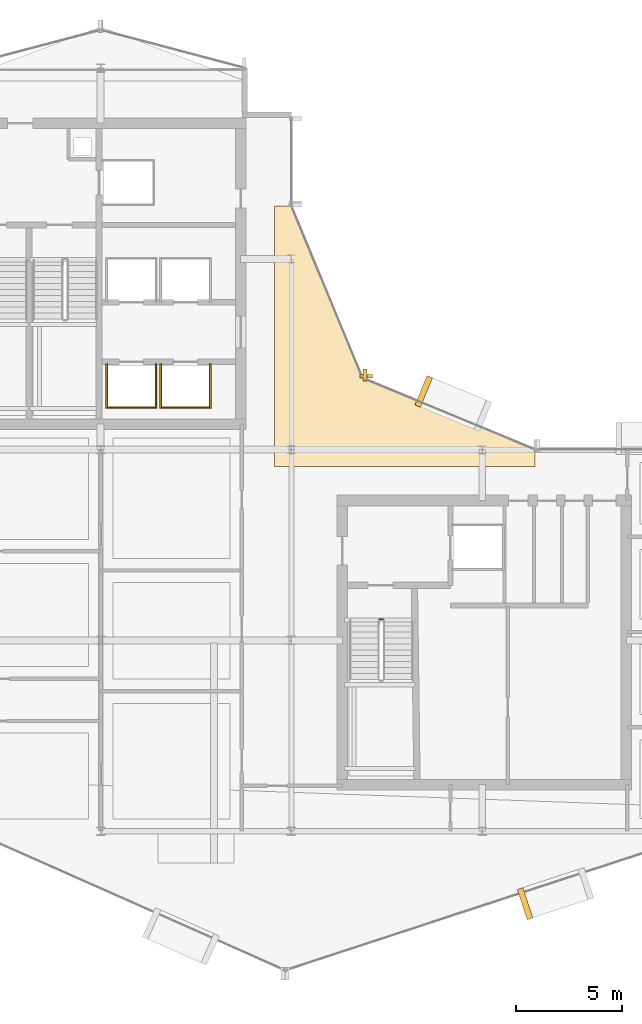
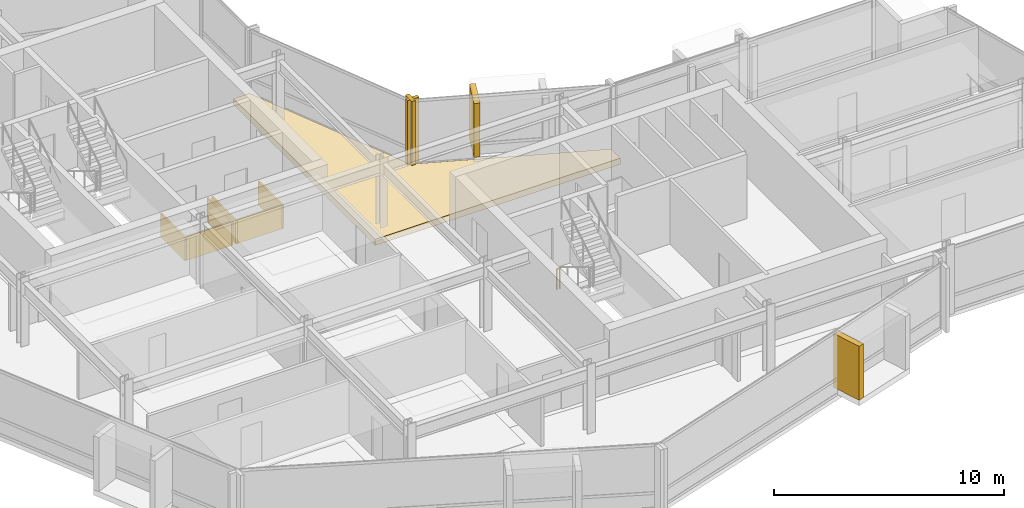
# One storey, part 26 of 28: 11 coverings, 1 railing.
"""IFC4 building model written with IfcOpenShell, lengths in metres."""

from ifc_helpers import new_model, si_unit, direction, frame, origin, origin_2d, place, context, subcontext, project, spatial, polyline, rectangle, circle, outline, extrude, material, layer, layer_set, type_object, element, save


model = new_model("IFC4")

# Units and contexts
model_context = context("Model", 3, precision=1e-05, world=origin(), true_north=direction((0.0, 1.0)))
body_context = subcontext(model_context, "Body", "Model", "MODEL_VIEW")
ifc_project = project(units=[si_unit("LENGTHUNIT", "METRE"), si_unit("AREAUNIT", "SQUARE_METRE"), si_unit("VOLUMEUNIT", "CUBIC_METRE"), si_unit("PLANEANGLEUNIT", "RADIAN"), si_unit("MASSUNIT", "GRAM", prefix="KILO")], contexts=[model_context])

# Site, building, storey
site_placement = place(None, origin())
site = spatial("IfcSite", under=ifc_project, at=site_placement, CompositionType="ELEMENT")
building_placement = place(site_placement, origin())
building = spatial("IfcBuilding", under=site, at=building_placement, Name="Solvaryn Broadcast Tower", CompositionType="ELEMENT")
storey_placement = place(building_placement, frame((0.0, 0.0, 209.89990234375)))
storey = spatial("IfcBuildingStorey", under=building, at=storey_placement, Name="L52", CompositionType="ELEMENT", Elevation=209.89990234375)

# Coverings
ifc_material_1 = material(Name="Fire-Rated Gypsum Shaftwall Liner", Category="concrete")
ifc_layer_1 = layer(ifc_material_1, 0.080078125)
ifc_layer_set_1 = layer_set([ifc_layer_1], Name="CV-SHAFT-LINER")
covering_type_1 = type_object("IfcCoveringType", Name="CV-SHAFT-LINER", PredefinedType="CLADDING", material=ifc_layer_set_1)
covering_1_placement = place(storey_placement, frame((19.449951171875, 28.985107421875, 0.0), z_axis=(0.0, 0.0, 1.0), x_axis=(1.0, 0.0, 0.0)))
element("IfcCovering", 1, at=covering_1_placement, inside=storey, type_object=covering_type_1, Name="L52 PH1 Hoistway Shaft Liner South", PredefinedType="CLADDING", context=body_context, shape_type="SweptSolid", body=[
    extrude(rectangle(XDim=2.409912109375, YDim=0.080078125, at=origin_2d()), origin(), (0.0, 0.0, 1.0), 1.25),
])
for number, where, z_axis, x_axis, name in (
    (2, (20.614990234375, 30.0, 0.0), (0.0, 0.0, 1.0), (1.0, 0.0, 0.0), "L52 PH1 Hoistway Shaft Liner East"),
    (3, (18.284912109375, 30.0, 0.0), (0.0, 0.0, 1.0), (1.0, 0.0, 0.0), "L52 PH1 Hoistway Shaft Liner West"),
):
    element("IfcCovering", number, at=place(storey_placement, frame(where, z_axis=z_axis, x_axis=x_axis)), inside=storey, type_object=covering_type_1, Name=name, PredefinedType="CLADDING", context=body_context, shape_type="SweptSolid", body=[
        extrude(rectangle(XDim=0.080078125, YDim=2.110107421875, at=origin_2d()), origin(), (0.0, 0.0, 1.0), 1.25),
    ])
covering_2_placement = place(storey_placement, frame((22.0, 28.985107421875, 0.0), z_axis=(0.0, 0.0, 1.0), x_axis=(1.0, 0.0, 0.0)))
element("IfcCovering", 4, at=covering_2_placement, inside=storey, type_object=covering_type_1, Name="L52 PH2 Hoistway Shaft Liner South", PredefinedType="CLADDING", context=body_context, shape_type="SweptSolid", body=[
    extrude(rectangle(XDim=2.409912109375, YDim=0.080078125, at=origin_2d()), origin(), (0.0, 0.0, 1.0), 1.25),
])
for number, where, z_axis, x_axis, name in (
    (5, (23.1650390625, 30.0, 0.0), (0.0, 0.0, 1.0), (1.0, 0.0, 0.0), "L52 PH2 Hoistway Shaft Liner East"),
    (6, (20.8349609375, 30.0, 0.0), (0.0, 0.0, 1.0), (1.0, 0.0, 0.0), "L52 PH2 Hoistway Shaft Liner West"),
):
    element("IfcCovering", number, at=place(storey_placement, frame(where, z_axis=z_axis, x_axis=x_axis)), inside=storey, type_object=covering_type_1, Name=name, PredefinedType="CLADDING", context=body_context, shape_type="SweptSolid", body=[
        extrude(rectangle(XDim=0.080078125, YDim=2.110107421875, at=origin_2d()), origin(), (0.0, 0.0, 1.0), 1.25),
    ])
ifc_material_2 = material(Name="Glazed Architectural Terracotta Rainscreen Cladding", Category="masonry")
ifc_layer_2 = layer(ifc_material_2, 0.280029296875)
ifc_layer_set_2 = layer_set([ifc_layer_2], Name="CV-TC-CLAD")
covering_type_2 = type_object("IfcCoveringType", Name="CV-TC-CLAD", PredefinedType="CLADDING", material=ifc_layer_set_2)
for number, where, z_axis, x_axis, name in (
    (7, (38.01904296875, 5.584716796875, 0.2802734375), (0.0, 0.0, 1.0), (0.950244253402, 0.311505792684, 0.0), "L52 Projecting Stone Window Box Cheek 4-1"),
    (8, (33.241943359375, 29.751953125, 0.2802734375), (0.0, 0.0, 1.0), (-0.923879532511, 0.382683432365, 0.0), "L52 Projecting Stone Window Box Cheek 5-2"),
):
    element("IfcCovering", number, at=place(storey_placement, frame(where, z_axis=z_axis, x_axis=x_axis)), inside=storey, type_object=covering_type_2, Name=name, PredefinedType="CLADDING", context=body_context, shape_type="SweptSolid", body=[
        extrude(rectangle(XDim=0.280029296875, YDim=1.5, at=origin_2d()), origin(), (0.0, 0.0, 1.0), 2.860107421875),
    ])
ifc_material_3 = material(Name="Extruded Architectural Terracotta Fin", Category="masonry")
ifc_layer_3 = layer(ifc_material_3, 0.179931640625)
ifc_layer_set_3 = layer_set([ifc_layer_3], Name="CV-TC-FIN")
covering_type_3 = type_object("IfcCoveringType", Name="CV-TC-FIN", PredefinedType="USERDEFINED", material=ifc_layer_set_3)
covering_3_placement = place(storey_placement, frame((30.464599609375, 30.52294921875, 0.000244140625), z_axis=(0.0, 0.0, 1.0), x_axis=(1.0, 0.0, 0.0)))
element("IfcCovering", 9, at=covering_3_placement, inside=storey, type_object=covering_type_3, Name="L52 Terracotta Vertical Fin FIN-L52-CN1-M01", ObjectType="FIN", PredefinedType="USERDEFINED", context=body_context, shape_type="SweptSolid", body=[
    extrude(rectangle(XDim=0.179931640625, YDim=0.580078125, at=origin_2d()), origin(), (0.0, 0.0, 1.0), 3.419921875),
])
covering_4_placement = place(storey_placement, frame((30.52294921875, 30.464599609375, 0.000244140625), z_axis=(0.0, 0.0, 1.0), x_axis=(1.0, 0.0, 0.0)))
element("IfcCovering", 10, at=covering_4_placement, inside=storey, type_object=covering_type_3, Name="L52 Terracotta Vertical Fin FIN-L52-CN2-M00", ObjectType="FIN", PredefinedType="USERDEFINED", context=body_context, shape_type="SweptSolid", body=[
    extrude(rectangle(XDim=0.580078125, YDim=0.179931640625, at=origin_2d()), origin(), (0.0, 0.0, 1.0), 3.419921875),
])
ifc_material_4 = material(Name="Sculpted Architectural Terracotta Wave Fascia", Category="masonry")
ifc_layer_4 = layer(ifc_material_4, 0.340087890625)
ifc_layer_set_4 = layer_set([ifc_layer_4], Name="CV-WAVE-TRAY")
covering_type_4 = type_object("IfcCoveringType", Name="CV-WAVE-TRAY", PredefinedType="CLADDING", material=ifc_layer_set_4)
covering_5_placement = place(storey_placement, frame((0.0, 0.0, -0.2998046875)))
element("IfcCovering", 11, at=covering_5_placement, inside=storey, type_object=covering_type_4, Name="L52 Concave Canyon Floor Apron", PredefinedType="CLADDING", context=body_context, shape_type="SweptSolid", body=[
    extrude(outline(polyline([(26.199951171875, 26.199951171875), (38.5, 26.199951171875), (38.5, 27.0), (30.367919921875, 30.367919921875), (27.0, 38.5), (26.199951171875, 38.5), (26.199951171875, 26.199951171875)])), origin(), (0.0, 0.0, 1.0), 0.329833984375),
])

# Railing
ifc_material_5 = material(Name="Painted Steel Stair Well Guard", Category="steel")
railing_type = type_object("IfcRailingType", Name="RL-STAIR-GUARD", PredefinedType="BALUSTRADE", material=ifc_material_5)
railing_placement = place(storey_placement, frame((31.159912109375, 19.010009765625, 0.0)))
element("IfcRailing", 12, at=railing_placement, inside=storey, type_object=railing_type, Name="L52 ST3 stair guard 4", PredefinedType="BALUSTRADE", context=body_context, shape_type="SweptSolid", body=[
    extrude(circle(Radius=0.02392578125, at=origin_2d()), frame((0.0, 0.0, 1.076171875), z_axis=(1.0, 0.0, 0.0), x_axis=(0.0, 1.0, 0.0)), (0.0, 0.0, 1.0), 0.150146484375),
    extrude(circle(Radius=0.02099609375, at=origin_2d()), origin(), (0.0, 0.0, 1.0), 1.052001953125),
    extrude(circle(Radius=0.02099609375, at=origin_2d()), frame((0.150146484375, 0.0, 0.0)), (0.0, 0.0, 1.0), 1.052001953125),
])

save(model, "model.ifc")
